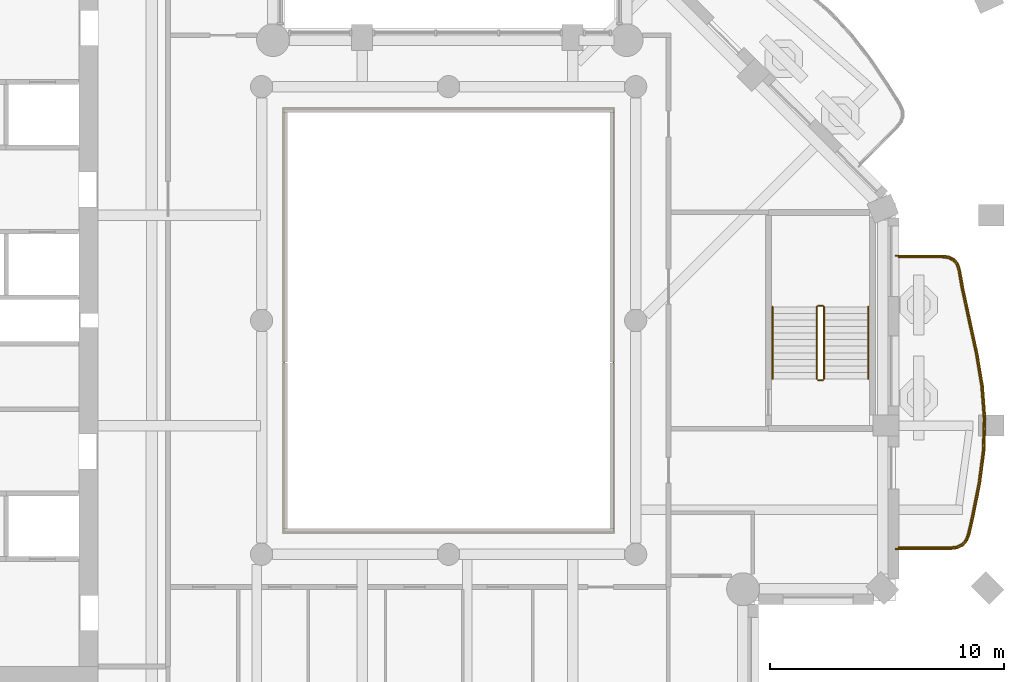
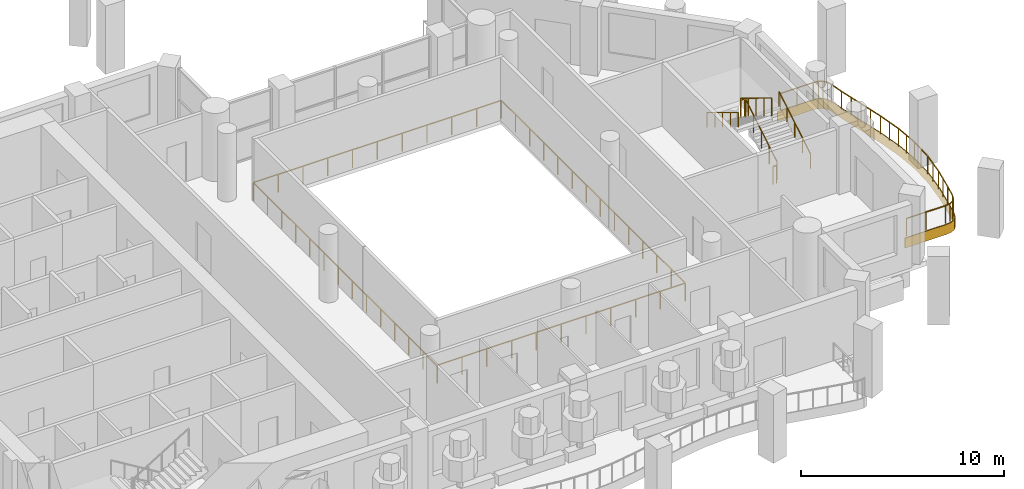
# One storey, part 12 of 15: 8 railings, 1 covering.
"""IFC4 building model written with IfcOpenShell, lengths in metres."""

from ifc_helpers import new_model, si_unit, direction, frame, origin, origin_2d, place, context, subcontext, project, spatial, polyline, rectangle, outline, extrude, material, layer, layer_set, type_object, element, save


model = new_model("IFC4")

# Units and contexts
model_context = context("Model", 3, precision=1e-05, world=origin(), true_north=direction((0.0, 1.0)))
body_context = subcontext(model_context, "Body", "Model", "MODEL_VIEW")
ifc_project = project(units=[si_unit("LENGTHUNIT", "METRE"), si_unit("AREAUNIT", "SQUARE_METRE"), si_unit("VOLUMEUNIT", "CUBIC_METRE"), si_unit("PLANEANGLEUNIT", "RADIAN"), si_unit("MASSUNIT", "GRAM", prefix="KILO")], contexts=[model_context])

# Site, building, storey
site_placement = place(None, origin())
site = spatial("IfcSite", under=ifc_project, at=site_placement, CompositionType="ELEMENT")
building_placement = place(site_placement, origin())
building = spatial("IfcBuilding", under=site, at=building_placement, Name="Cypress Arch Tower", CompositionType="ELEMENT")
storey_placement = place(building_placement, frame((0.0, 0.0, 164.60009765625)))
storey = spatial("IfcBuildingStorey", under=building, at=storey_placement, Name="L35", CompositionType="ELEMENT", Elevation=164.60009765625)

# Railing
ifc_material_1 = material(Name="Stainless steel posts and handrail, laminated glass infill", Category="steel")
railing_type_1 = type_object("IfcRailingType", Name="Atrium guard GR1100A", PredefinedType="GUARDRAIL", material=ifc_material_1)
railing_1_placement = place(storey_placement, frame((8.050048828125, -9.050048828125, 0.0)))
element("IfcRailing", 1, at=railing_1_placement, inside=storey, type_object=railing_type_1, Name="Atrium guard L35", PredefinedType="GUARDRAIL", context=body_context, shape_type="SweptSolid", body=[
    extrude(rectangle(XDim=0.050048828125, YDim=0.050048828125, at=origin_2d()), frame((0.0, 0.0, 1.0751953125), z_axis=(-1.0, 0.0, 0.0), x_axis=(0.0, -1.0, 0.0)), (0.0, 0.0, 1.0), 14.10009765625),
    extrude(rectangle(XDim=0.050048828125, YDim=0.050048828125, at=origin_2d()), frame((-14.10009765625, 0.0, 1.0751953125), z_axis=(0.0, 1.0, 0.0), x_axis=(-1.0, 0.0, 0.0)), (0.0, 0.0, 1.0), 18.10009765625),
    extrude(rectangle(XDim=0.050048828125, YDim=0.050048828125, at=origin_2d()), frame((-14.10009765625, 18.10009765625, 1.0751953125), z_axis=(1.0, 0.0, 0.0), x_axis=(0.0, 1.0, 0.0)), (0.0, 0.0, 1.0), 14.10009765625),
    extrude(rectangle(XDim=0.050048828125, YDim=0.050048828125, at=origin_2d()), frame((0.0, 18.10009765625, 1.0751953125), z_axis=(0.0, -1.0, 0.0), x_axis=(1.0, 0.0, 0.0)), (0.0, 0.0, 1.0), 18.10009765625),
    extrude(rectangle(XDim=0.050048828125, YDim=0.050048828125, at=origin_2d()), origin(), (0.0, 0.0, 1.0), 1.050048828125),
    extrude(rectangle(XDim=0.050048828125, YDim=0.050048828125, at=origin_2d()), frame((-1.409912109375, 0.0, 0.0)), (0.0, 0.0, 1.0), 1.050048828125),
    extrude(rectangle(XDim=0.050048828125, YDim=0.050048828125, at=origin_2d()), frame((-2.820068359375, 0.0, 0.0)), (0.0, 0.0, 1.0), 1.050048828125),
    extrude(rectangle(XDim=0.050048828125, YDim=0.050048828125, at=origin_2d()), frame((-4.22998046875, 0.0, 0.0)), (0.0, 0.0, 1.0), 1.050048828125),
    extrude(rectangle(XDim=0.050048828125, YDim=0.050048828125, at=origin_2d()), frame((-5.64013671875, 0.0, 0.0)), (0.0, 0.0, 1.0), 1.050048828125),
    extrude(rectangle(XDim=0.050048828125, YDim=0.050048828125, at=origin_2d()), frame((-7.050048828125, 0.0, 0.0)), (0.0, 0.0, 1.0), 1.050048828125),
    extrude(rectangle(XDim=0.050048828125, YDim=0.050048828125, at=origin_2d()), frame((-8.4599609375, 0.0, 0.0)), (0.0, 0.0, 1.0), 1.050048828125),
    extrude(rectangle(XDim=0.050048828125, YDim=0.050048828125, at=origin_2d()), frame((-9.8701171875, 0.0, 0.0)), (0.0, 0.0, 1.0), 1.050048828125),
    extrude(rectangle(XDim=0.050048828125, YDim=0.050048828125, at=origin_2d()), frame((-11.280029296875, 0.0, 0.0)), (0.0, 0.0, 1.0), 1.050048828125),
    extrude(rectangle(XDim=0.050048828125, YDim=0.050048828125, at=origin_2d()), frame((-12.690185546875, 0.0, 0.0)), (0.0, 0.0, 1.0), 1.050048828125),
    extrude(rectangle(XDim=0.050048828125, YDim=0.050048828125, at=origin_2d()), frame((-14.10009765625, 0.0, 0.0)), (0.0, 0.0, 1.0), 1.050048828125),
    extrude(rectangle(XDim=0.050048828125, YDim=0.050048828125, at=origin_2d()), frame((-14.10009765625, 1.392333984375, 0.0)), (0.0, 0.0, 1.0), 1.050048828125),
    extrude(rectangle(XDim=0.050048828125, YDim=0.050048828125, at=origin_2d()), frame((-14.10009765625, 2.78466796875, 0.0)), (0.0, 0.0, 1.0), 1.050048828125),
    extrude(rectangle(XDim=0.050048828125, YDim=0.050048828125, at=origin_2d()), frame((-14.10009765625, 4.177001953125, 0.0)), (0.0, 0.0, 1.0), 1.050048828125),
    extrude(rectangle(XDim=0.050048828125, YDim=0.050048828125, at=origin_2d()), frame((-14.10009765625, 5.5693359375, 0.0)), (0.0, 0.0, 1.0), 1.050048828125),
    extrude(rectangle(XDim=0.050048828125, YDim=0.050048828125, at=origin_2d()), frame((-14.10009765625, 6.961669921875, 0.0)), (0.0, 0.0, 1.0), 1.050048828125),
    extrude(rectangle(XDim=0.050048828125, YDim=0.050048828125, at=origin_2d()), frame((-14.10009765625, 8.35400390625, 0.0)), (0.0, 0.0, 1.0), 1.050048828125),
    extrude(rectangle(XDim=0.050048828125, YDim=0.050048828125, at=origin_2d()), frame((-14.10009765625, 9.74609375, 0.0)), (0.0, 0.0, 1.0), 1.050048828125),
    extrude(rectangle(XDim=0.050048828125, YDim=0.050048828125, at=origin_2d()), frame((-14.10009765625, 11.138427734375, 0.0)), (0.0, 0.0, 1.0), 1.050048828125),
    extrude(rectangle(XDim=0.050048828125, YDim=0.050048828125, at=origin_2d()), frame((-14.10009765625, 12.53076171875, 0.0)), (0.0, 0.0, 1.0), 1.050048828125),
    extrude(rectangle(XDim=0.050048828125, YDim=0.050048828125, at=origin_2d()), frame((-14.10009765625, 13.923095703125, 0.0)), (0.0, 0.0, 1.0), 1.050048828125),
    extrude(rectangle(XDim=0.050048828125, YDim=0.050048828125, at=origin_2d()), frame((-14.10009765625, 15.3154296875, 0.0)), (0.0, 0.0, 1.0), 1.050048828125),
    extrude(rectangle(XDim=0.050048828125, YDim=0.050048828125, at=origin_2d()), frame((-14.10009765625, 16.707763671875, 0.0)), (0.0, 0.0, 1.0), 1.050048828125),
    extrude(rectangle(XDim=0.050048828125, YDim=0.050048828125, at=origin_2d()), frame((-14.10009765625, 18.10009765625, 0.0)), (0.0, 0.0, 1.0), 1.050048828125),
    extrude(rectangle(XDim=0.050048828125, YDim=0.050048828125, at=origin_2d()), frame((-12.690185546875, 18.10009765625, 0.0)), (0.0, 0.0, 1.0), 1.050048828125),
    extrude(rectangle(XDim=0.050048828125, YDim=0.050048828125, at=origin_2d()), frame((-11.280029296875, 18.10009765625, 0.0)), (0.0, 0.0, 1.0), 1.050048828125),
    extrude(rectangle(XDim=0.050048828125, YDim=0.050048828125, at=origin_2d()), frame((-9.8701171875, 18.10009765625, 0.0)), (0.0, 0.0, 1.0), 1.050048828125),
    extrude(rectangle(XDim=0.050048828125, YDim=0.050048828125, at=origin_2d()), frame((-8.4599609375, 18.10009765625, 0.0)), (0.0, 0.0, 1.0), 1.050048828125),
    extrude(rectangle(XDim=0.050048828125, YDim=0.050048828125, at=origin_2d()), frame((-7.050048828125, 18.10009765625, 0.0)), (0.0, 0.0, 1.0), 1.050048828125),
    extrude(rectangle(XDim=0.050048828125, YDim=0.050048828125, at=origin_2d()), frame((-5.64013671875, 18.10009765625, 0.0)), (0.0, 0.0, 1.0), 1.050048828125),
    extrude(rectangle(XDim=0.050048828125, YDim=0.050048828125, at=origin_2d()), frame((-4.22998046875, 18.10009765625, 0.0)), (0.0, 0.0, 1.0), 1.050048828125),
    extrude(rectangle(XDim=0.050048828125, YDim=0.050048828125, at=origin_2d()), frame((-2.820068359375, 18.10009765625, 0.0)), (0.0, 0.0, 1.0), 1.050048828125),
    extrude(rectangle(XDim=0.050048828125, YDim=0.050048828125, at=origin_2d()), frame((-1.409912109375, 18.10009765625, 0.0)), (0.0, 0.0, 1.0), 1.050048828125),
    extrude(rectangle(XDim=0.050048828125, YDim=0.050048828125, at=origin_2d()), frame((0.0, 18.10009765625, 0.0)), (0.0, 0.0, 1.0), 1.050048828125),
    extrude(rectangle(XDim=0.050048828125, YDim=0.050048828125, at=origin_2d()), frame((0.0, 16.707763671875, 0.0)), (0.0, 0.0, 1.0), 1.050048828125),
    extrude(rectangle(XDim=0.050048828125, YDim=0.050048828125, at=origin_2d()), frame((0.0, 15.3154296875, 0.0)), (0.0, 0.0, 1.0), 1.050048828125),
    extrude(rectangle(XDim=0.050048828125, YDim=0.050048828125, at=origin_2d()), frame((0.0, 13.923095703125, 0.0)), (0.0, 0.0, 1.0), 1.050048828125),
    extrude(rectangle(XDim=0.050048828125, YDim=0.050048828125, at=origin_2d()), frame((0.0, 12.53076171875, 0.0)), (0.0, 0.0, 1.0), 1.050048828125),
    extrude(rectangle(XDim=0.050048828125, YDim=0.050048828125, at=origin_2d()), frame((0.0, 11.138427734375, 0.0)), (0.0, 0.0, 1.0), 1.050048828125),
    extrude(rectangle(XDim=0.050048828125, YDim=0.050048828125, at=origin_2d()), frame((0.0, 9.74609375, 0.0)), (0.0, 0.0, 1.0), 1.050048828125),
    extrude(rectangle(XDim=0.050048828125, YDim=0.050048828125, at=origin_2d()), frame((0.0, 8.35400390625, 0.0)), (0.0, 0.0, 1.0), 1.050048828125),
    extrude(rectangle(XDim=0.050048828125, YDim=0.050048828125, at=origin_2d()), frame((0.0, 6.961669921875, 0.0)), (0.0, 0.0, 1.0), 1.050048828125),
    extrude(rectangle(XDim=0.050048828125, YDim=0.050048828125, at=origin_2d()), frame((0.0, 5.5693359375, 0.0)), (0.0, 0.0, 1.0), 1.050048828125),
    extrude(rectangle(XDim=0.050048828125, YDim=0.050048828125, at=origin_2d()), frame((0.0, 4.177001953125, 0.0)), (0.0, 0.0, 1.0), 1.050048828125),
    extrude(rectangle(XDim=0.050048828125, YDim=0.050048828125, at=origin_2d()), frame((0.0, 2.78466796875, 0.0)), (0.0, 0.0, 1.0), 1.050048828125),
    extrude(rectangle(XDim=0.050048828125, YDim=0.050048828125, at=origin_2d()), frame((0.0, 1.392333984375, 0.0)), (0.0, 0.0, 1.0), 1.050048828125),
])

# Covering
ifc_material_2 = material(Name="White powder-coated aluminium fascia", Category="aluminium")
ifc_layer = layer(ifc_material_2, 0.050048828125)
ifc_layer_set = layer_set([ifc_layer], Name="Balcony fascia BF50")
covering_type = type_object("IfcCoveringType", Name="Balcony fascia BF50", PredefinedType="CLADDING", material=ifc_layer_set)
covering_placement = place(storey_placement, frame((0.0, 0.0, -0.60009765625)))
element("IfcCovering", 2, at=covering_placement, inside=storey, type_object=covering_type, Name="Balcony fascia L35-B04", PredefinedType="CLADDING", context=body_context, shape_type="SweptSolid", body=[
    extrude(outline(polyline([(22.1220703125, 2.800048828125), (22.418212890625, 2.75927734375), (22.653564453125, 2.6328125), (22.8173828125, 2.422119140625), (22.906982421875, 2.13671875), (23.03662109375, 1.37060546875), (23.340087890625, -0.01708984375), (23.642578125, -1.4072265625), (23.874267578125, -2.799560546875), (23.9814453125, -4.193359375), (23.93896484375, -5.58740234375), (23.757080078125, -6.98046875), (23.4775390625, -8.37158203125), (23.30517578125, -9.13916015625), (23.199462890625, -9.424072265625), (23.023681640625, -9.633544921875), (22.780517578125, -9.75927734375), (22.4794921875, -9.800048828125), (20.10107421875, -9.800048828125), (20.10107421875, -9.75), (22.47607421875, -9.75), (22.76513671875, -9.7109375), (22.99169921875, -9.59375), (23.15576171875, -9.3984375), (23.257080078125, -9.125), (23.4287109375, -8.361083984375), (23.70751953125, -6.97216796875), (23.88916015625, -5.583251953125), (23.931396484375, -4.1943359375), (23.824462890625, -2.8056640625), (23.593505859375, -1.416748046875), (23.291259765625, -0.02783203125), (22.987548828125, 1.361083984375), (22.8583984375, 2.125), (22.7724609375, 2.3984375), (22.62060546875, 2.59375), (22.402587890625, 2.7109375), (22.11865234375, 2.75), (20.10107421875, 2.75), (20.10107421875, 2.800048828125), (22.1220703125, 2.800048828125)])), origin(), (0.0, 0.0, 1.0), 0.60009765625),
])

# Railings
ifc_material_3 = material(Name="Powder-coated steel posts and rods, 100 mm clear between rods", Category="steel")
railing_type_2 = type_object("IfcRailingType", Name="Balcony guard GR1100", PredefinedType="GUARDRAIL", material=ifc_material_3)
railing_2_placement = place(storey_placement, frame((20.25, 2.699951171875, 0.0)))
element("IfcRailing", 3, at=railing_2_placement, inside=storey, type_object=railing_type_2, Name="Balcony guard L35-B04", PredefinedType="GUARDRAIL", context=body_context, shape_type="SweptSolid", body=[
    extrude(rectangle(XDim=0.050048828125, YDim=0.050048828125, at=origin_2d()), frame((0.0, 0.0, 1.0751953125), z_axis=(1.0, 0.0, 0.0), x_axis=(0.0, 1.0, 0.0)), (0.0, 0.0, 1.0), 1.865234375),
    extrude(rectangle(XDim=0.050048828125, YDim=0.050048828125, at=origin_2d()), frame((1.865234375, 0.0, 1.0751953125), z_axis=(0.990666813583, -0.13630577561, 0.0), x_axis=(0.13630577561, 0.990666813583, 0.0)), (0.0, 0.0, 1.0), 0.27392578125),
    extrude(rectangle(XDim=0.050048828125, YDim=0.050048828125, at=origin_2d()), frame((2.13671875, -0.037353515625, 1.0751953125), z_axis=(0.880986166387, -0.473142023746, 0.0), x_axis=(0.473142023746, 0.880986166387, 0.0)), (0.0, 0.0, 1.0), 0.22802734375),
    extrude(rectangle(XDim=0.050048828125, YDim=0.050048828125, at=origin_2d()), frame((2.337646484375, -0.145263671875, 1.0751953125), z_axis=(0.613792283962, -0.789467562443, 0.0), x_axis=(0.789467562443, 0.613792283962, 0.0)), (0.0, 0.0, 1.0), 0.22802734375),
    extrude(rectangle(XDim=0.050048828125, YDim=0.050048828125, at=origin_2d()), frame((2.4775390625, -0.3251953125, 1.0751953125), z_axis=(0.299340074537, -0.954146487588, 0.0), x_axis=(0.954146487588, 0.299340074537, 0.0)), (0.0, 0.0, 1.0), 0.27392578125),
    extrude(rectangle(XDim=0.050048828125, YDim=0.050048828125, at=origin_2d()), frame((2.5595703125, -0.586669921875, 1.0751953125), z_axis=(0.166858303693, -0.985980885458, 0.0), x_axis=(0.985980885458, 0.166858303693, 0.0)), (0.0, 0.0, 1.0), 0.7724609375),
    extrude(rectangle(XDim=0.050048828125, YDim=0.050048828125, at=origin_2d()), frame((2.6884765625, -1.348388671875, 1.0751953125), z_axis=(0.213640585068, -0.976912329952, 0.0), x_axis=(0.976912329952, 0.213640585068, 0.0)), (0.0, 0.0, 1.0), 1.4228515625),
    extrude(rectangle(XDim=0.050048828125, YDim=0.050048828125, at=origin_2d()), frame((2.992431640625, -2.73828125, 1.0751953125), z_axis=(0.21265088582, -0.977128241716, 0.0), x_axis=(0.977128241716, 0.21265088582, 0.0)), (0.0, 0.0, 1.0), 1.420166015625),
    extrude(rectangle(XDim=0.050048828125, YDim=0.050048828125, at=origin_2d()), frame((3.29443359375, -4.1259765625, 1.0751953125), z_axis=(0.164088916526, -0.986445552209, 0.0), x_axis=(0.986445552209, 0.164088916526, 0.0)), (0.0, 0.0, 1.0), 1.404541015625),
    extrude(rectangle(XDim=0.050048828125, YDim=0.050048828125, at=origin_2d()), frame((3.52490234375, -5.511474609375, 1.0751953125), z_axis=(0.076683049341, -0.997055519991, 0.0), x_axis=(0.997055519991, 0.076683049341, 0.0)), (0.0, 0.0, 1.0), 1.38818359375),
    extrude(rectangle(XDim=0.050048828125, YDim=0.050048828125, at=origin_2d()), frame((3.63134765625, -6.8955078125, 1.0751953125), z_axis=(-0.030508022635, -0.999534521943, 0.0), x_axis=(0.999534521943, -0.030508022635, 0.0)), (0.0, 0.0, 1.0), 1.384521484375),
    extrude(rectangle(XDim=0.050048828125, YDim=0.050048828125, at=origin_2d()), frame((3.589111328125, -8.279296875, 1.0751953125), z_axis=(-0.12954097075, -0.991574070303, 0.0), x_axis=(0.991574070303, -0.12954097075, 0.0)), (0.0, 0.0, 1.0), 1.396484375),
    extrude(rectangle(XDim=0.050048828125, YDim=0.050048828125, at=origin_2d()), frame((3.408203125, -9.6640625, 1.0751953125), z_axis=(-0.196779990291, -0.980447670924, 0.0), x_axis=(0.980447670924, -0.196779990291, 0.0)), (0.0, 0.0, 1.0), 1.414306640625),
    extrude(rectangle(XDim=0.050048828125, YDim=0.050048828125, at=origin_2d()), frame((3.1298828125, -11.05078125, 1.0751953125), z_axis=(-0.219385413222, -0.975638273371, 0.0), x_axis=(0.975638273371, -0.219385413222, 0.0)), (0.0, 0.0, 1.0), 0.779052734375),
    extrude(rectangle(XDim=0.050048828125, YDim=0.050048828125, at=origin_2d()), frame((2.958984375, -11.810791015625, 1.0751953125), z_axis=(-0.347769657005, -0.937580004942, 0.0), x_axis=(0.937580004942, -0.347769657005, 0.0)), (0.0, 0.0, 1.0), 0.279296875),
    extrude(rectangle(XDim=0.050048828125, YDim=0.050048828125, at=origin_2d()), frame((2.86181640625, -12.07275390625, 1.0751953125), z_axis=(-0.642416654293, -0.766355558658, 0.0), x_axis=(0.766355558658, -0.642416654293, 0.0)), (0.0, 0.0, 1.0), 0.236328125),
    extrude(rectangle(XDim=0.050048828125, YDim=0.050048828125, at=origin_2d()), frame((2.7099609375, -12.25390625, 1.0751953125), z_axis=(-0.888144973039, -0.459563387212, 0.0), x_axis=(0.459563387212, -0.888144973039, 0.0)), (0.0, 0.0, 1.0), 0.236328125),
    extrude(rectangle(XDim=0.050048828125, YDim=0.050048828125, at=origin_2d()), frame((2.5, -12.362548828125, 1.0751953125), z_axis=(-0.991036223189, -0.133593429205, 0.0), x_axis=(0.133593429205, -0.991036223189, 0.0)), (0.0, 0.0, 1.0), 0.279541015625),
    extrude(rectangle(XDim=0.050048828125, YDim=0.050048828125, at=origin_2d()), frame((2.222900390625, -12.39990234375, 1.0751953125), z_axis=(-1.0, 0.0, 0.0), x_axis=(0.0, -1.0, 0.0)), (0.0, 0.0, 1.0), 2.222900390625),
    extrude(rectangle(XDim=0.0400390625, YDim=0.0400390625, at=origin_2d()), origin(), (0.0, 0.0, 1.0), 1.050048828125),
    extrude(rectangle(XDim=0.0400390625, YDim=0.0400390625, at=origin_2d()), frame((0.9326171875, 0.0, 0.0)), (0.0, 0.0, 1.0), 1.050048828125),
    extrude(rectangle(XDim=0.0400390625, YDim=0.0400390625, at=origin_2d()), frame((1.865234375, 0.0, 0.0)), (0.0, 0.0, 1.0), 1.050048828125),
    extrude(rectangle(XDim=0.0400390625, YDim=0.0400390625, at=origin_2d()), frame((2.13671875, -0.037353515625, 0.0)), (0.0, 0.0, 1.0), 1.050048828125),
    extrude(rectangle(XDim=0.0400390625, YDim=0.0400390625, at=origin_2d()), frame((2.337646484375, -0.145263671875, 0.0)), (0.0, 0.0, 1.0), 1.050048828125),
    extrude(rectangle(XDim=0.0400390625, YDim=0.0400390625, at=origin_2d()), frame((2.4775390625, -0.3251953125, 0.0)), (0.0, 0.0, 1.0), 1.050048828125),
    extrude(rectangle(XDim=0.0400390625, YDim=0.0400390625, at=origin_2d()), frame((2.5595703125, -0.586669921875, 0.0)), (0.0, 0.0, 1.0), 1.050048828125),
    extrude(rectangle(XDim=0.0400390625, YDim=0.0400390625, at=origin_2d()), frame((2.6884765625, -1.348388671875, 0.0)), (0.0, 0.0, 1.0), 1.050048828125),
    extrude(rectangle(XDim=0.0400390625, YDim=0.0400390625, at=origin_2d()), frame((2.84033203125, -2.04345703125, 0.0)), (0.0, 0.0, 1.0), 1.050048828125),
    extrude(rectangle(XDim=0.0400390625, YDim=0.0400390625, at=origin_2d()), frame((2.992431640625, -2.73828125, 0.0)), (0.0, 0.0, 1.0), 1.050048828125),
    extrude(rectangle(XDim=0.0400390625, YDim=0.0400390625, at=origin_2d()), frame((3.1435546875, -3.43212890625, 0.0)), (0.0, 0.0, 1.0), 1.050048828125),
    extrude(rectangle(XDim=0.0400390625, YDim=0.0400390625, at=origin_2d()), frame((3.29443359375, -4.1259765625, 0.0)), (0.0, 0.0, 1.0), 1.050048828125),
    extrude(rectangle(XDim=0.0400390625, YDim=0.0400390625, at=origin_2d()), frame((3.40966796875, -4.81884765625, 0.0)), (0.0, 0.0, 1.0), 1.050048828125),
    extrude(rectangle(XDim=0.0400390625, YDim=0.0400390625, at=origin_2d()), frame((3.52490234375, -5.511474609375, 0.0)), (0.0, 0.0, 1.0), 1.050048828125),
    extrude(rectangle(XDim=0.0400390625, YDim=0.0400390625, at=origin_2d()), frame((3.578125, -6.20361328125, 0.0)), (0.0, 0.0, 1.0), 1.050048828125),
    extrude(rectangle(XDim=0.0400390625, YDim=0.0400390625, at=origin_2d()), frame((3.63134765625, -6.8955078125, 0.0)), (0.0, 0.0, 1.0), 1.050048828125),
    extrude(rectangle(XDim=0.0400390625, YDim=0.0400390625, at=origin_2d()), frame((3.6103515625, -7.58740234375, 0.0)), (0.0, 0.0, 1.0), 1.050048828125),
    extrude(rectangle(XDim=0.0400390625, YDim=0.0400390625, at=origin_2d()), frame((3.589111328125, -8.279296875, 0.0)), (0.0, 0.0, 1.0), 1.050048828125),
    extrude(rectangle(XDim=0.0400390625, YDim=0.0400390625, at=origin_2d()), frame((3.49853515625, -8.9716796875, 0.0)), (0.0, 0.0, 1.0), 1.050048828125),
    extrude(rectangle(XDim=0.0400390625, YDim=0.0400390625, at=origin_2d()), frame((3.408203125, -9.6640625, 0.0)), (0.0, 0.0, 1.0), 1.050048828125),
    extrude(rectangle(XDim=0.0400390625, YDim=0.0400390625, at=origin_2d()), frame((3.26904296875, -10.357421875, 0.0)), (0.0, 0.0, 1.0), 1.050048828125),
    extrude(rectangle(XDim=0.0400390625, YDim=0.0400390625, at=origin_2d()), frame((3.1298828125, -11.05078125, 0.0)), (0.0, 0.0, 1.0), 1.050048828125),
    extrude(rectangle(XDim=0.0400390625, YDim=0.0400390625, at=origin_2d()), frame((2.958984375, -11.810791015625, 0.0)), (0.0, 0.0, 1.0), 1.050048828125),
    extrude(rectangle(XDim=0.0400390625, YDim=0.0400390625, at=origin_2d()), frame((2.86181640625, -12.07275390625, 0.0)), (0.0, 0.0, 1.0), 1.050048828125),
    extrude(rectangle(XDim=0.0400390625, YDim=0.0400390625, at=origin_2d()), frame((2.7099609375, -12.25390625, 0.0)), (0.0, 0.0, 1.0), 1.050048828125),
    extrude(rectangle(XDim=0.0400390625, YDim=0.0400390625, at=origin_2d()), frame((2.5, -12.362548828125, 0.0)), (0.0, 0.0, 1.0), 1.050048828125),
    extrude(rectangle(XDim=0.0400390625, YDim=0.0400390625, at=origin_2d()), frame((2.222900390625, -12.39990234375, 0.0)), (0.0, 0.0, 1.0), 1.050048828125),
    extrude(rectangle(XDim=0.0400390625, YDim=0.0400390625, at=origin_2d()), frame((1.111328125, -12.39990234375, 0.0)), (0.0, 0.0, 1.0), 1.050048828125),
    extrude(rectangle(XDim=0.0400390625, YDim=0.0400390625, at=origin_2d()), frame((0.0, -12.39990234375, 0.0)), (0.0, 0.0, 1.0), 1.050048828125),
])
ifc_material_4 = material(Name="Black powder-coated steel square bar 48 mm", Category="steel")
railing_type_3 = type_object("IfcRailingType", Name="Stair handrail HR1", PredefinedType="HANDRAIL", material=ifc_material_4)
railing_3_placement = place(storey_placement, frame((18.949951171875, -2.5, 0.170654296875)))
element("IfcRailing", 4, at=railing_3_placement, inside=storey, type_object=railing_type_3, Name="L35 C stair handrail 1", PredefinedType="HANDRAIL", context=body_context, shape_type="SweptSolid", body=[
    extrude(rectangle(XDim=0.048095703125, YDim=0.048095703125, at=origin_2d()), frame((0.0, 0.0, 0.8759765625), z_axis=(0.0, 0.853666305674, 0.52082035152), x_axis=(-1.0, 0.0, 0.0)), (0.0, 0.0, 1.0), 3.608154296875),
    extrude(rectangle(XDim=0.0419921875, YDim=0.0419921875, at=origin_2d()), origin(), (0.0, 0.0, 1.0), 0.851806640625),
    extrude(rectangle(XDim=0.0419921875, YDim=0.0419921875, at=origin_2d()), frame((0.0, 0.77001953125, 0.4697265625)), (0.0, 0.0, 1.0), 0.851806640625),
    extrude(rectangle(XDim=0.0419921875, YDim=0.0419921875, at=origin_2d()), frame((0.0, 1.5400390625, 0.939453125)), (0.0, 0.0, 1.0), 0.851806640625),
    extrude(rectangle(XDim=0.0419921875, YDim=0.0419921875, at=origin_2d()), frame((0.0, 2.31005859375, 1.409423828125)), (0.0, 0.0, 1.0), 0.851806640625),
    extrude(rectangle(XDim=0.0419921875, YDim=0.0419921875, at=origin_2d()), frame((0.0, 3.080078125, 1.879150390625)), (0.0, 0.0, 1.0), 0.851806640625),
])
railing_4_placement = place(storey_placement, frame((14.85009765625, 0.580078125, 2.220703125)))
element("IfcRailing", 5, at=railing_4_placement, inside=storey, type_object=railing_type_3, Name="L35 C stair handrail 2", PredefinedType="HANDRAIL", context=body_context, shape_type="SweptSolid", body=[
    extrude(rectangle(XDim=0.048095703125, YDim=0.048095703125, at=origin_2d()), frame((0.0, 0.0, 0.8759765625), z_axis=(0.0, -0.853666305674, 0.52082035152), x_axis=(1.0, 0.0, 0.0)), (0.0, 0.0, 1.0), 3.608154296875),
    extrude(rectangle(XDim=0.0419921875, YDim=0.0419921875, at=origin_2d()), origin(), (0.0, 0.0, 1.0), 0.851806640625),
    extrude(rectangle(XDim=0.0419921875, YDim=0.0419921875, at=origin_2d()), frame((0.0, -0.77001953125, 0.4697265625)), (0.0, 0.0, 1.0), 0.851806640625),
    extrude(rectangle(XDim=0.0419921875, YDim=0.0419921875, at=origin_2d()), frame((0.0, -1.5400390625, 0.939453125)), (0.0, 0.0, 1.0), 0.851806640625),
    extrude(rectangle(XDim=0.0419921875, YDim=0.0419921875, at=origin_2d()), frame((0.0, -2.31005859375, 1.409423828125)), (0.0, 0.0, 1.0), 0.851806640625),
    extrude(rectangle(XDim=0.0419921875, YDim=0.0419921875, at=origin_2d()), frame((0.0, -3.080078125, 1.879150390625)), (0.0, 0.0, 1.0), 0.851806640625),
])
ifc_material_5 = material(Name="Black powder-coated steel balusters", Category="steel")
railing_type_4 = type_object("IfcRailingType", Name="Stair well guard G1", PredefinedType="GUARDRAIL", material=ifc_material_5)
railing_5_placement = place(storey_placement, frame((17.050048828125, -2.5, 0.170654296875)))
element("IfcRailing", 6, at=railing_5_placement, inside=storey, type_object=railing_type_4, Name="L35 C stair guard 1", PredefinedType="GUARDRAIL", context=body_context, shape_type="SweptSolid", body=[
    extrude(rectangle(XDim=0.048095703125, YDim=0.048095703125, at=origin_2d()), frame((0.0, 0.0, 1.076171875), z_axis=(0.0, 0.853666305674, 0.52082035152), x_axis=(-1.0, 0.0, 0.0)), (0.0, 0.0, 1.0), 3.608154296875),
    extrude(rectangle(XDim=0.0419921875, YDim=0.0419921875, at=origin_2d()), origin(), (0.0, 0.0, 1.0), 1.052001953125),
    extrude(rectangle(XDim=0.0419921875, YDim=0.0419921875, at=origin_2d()), frame((0.0, 0.77001953125, 0.4697265625)), (0.0, 0.0, 1.0), 1.052001953125),
    extrude(rectangle(XDim=0.0419921875, YDim=0.0419921875, at=origin_2d()), frame((0.0, 1.5400390625, 0.939453125)), (0.0, 0.0, 1.0), 1.052001953125),
    extrude(rectangle(XDim=0.0419921875, YDim=0.0419921875, at=origin_2d()), frame((0.0, 2.31005859375, 1.409423828125)), (0.0, 0.0, 1.0), 1.052001953125),
    extrude(rectangle(XDim=0.0419921875, YDim=0.0419921875, at=origin_2d()), frame((0.0, 3.080078125, 1.879150390625)), (0.0, 0.0, 1.0), 1.052001953125),
])
railing_6_placement = place(storey_placement, frame((17.0, 0.6298828125, 2.0498046875)))
element("IfcRailing", 7, at=railing_6_placement, inside=storey, type_object=railing_type_4, Name="L35 C stair guard 2", PredefinedType="GUARDRAIL", context=body_context, shape_type="SweptSolid", body=[
    extrude(rectangle(XDim=0.048095703125, YDim=0.048095703125, at=origin_2d()), frame((0.0, 0.0, 1.076171875), z_axis=(-1.0, 0.0, 0.0), x_axis=(0.0, -1.0, 0.0)), (0.0, 0.0, 1.0), 0.199951171875),
    extrude(rectangle(XDim=0.0419921875, YDim=0.0419921875, at=origin_2d()), origin(), (0.0, 0.0, 1.0), 1.052001953125),
    extrude(rectangle(XDim=0.0419921875, YDim=0.0419921875, at=origin_2d()), frame((-0.199951171875, 0.0, 0.0)), (0.0, 0.0, 1.0), 1.052001953125),
])
railing_7_placement = place(storey_placement, frame((16.75, 0.580078125, 2.220703125)))
element("IfcRailing", 8, at=railing_7_placement, inside=storey, type_object=railing_type_4, Name="L35 C stair guard 3", PredefinedType="GUARDRAIL", context=body_context, shape_type="SweptSolid", body=[
    extrude(rectangle(XDim=0.048095703125, YDim=0.048095703125, at=origin_2d()), frame((0.0, 0.0, 1.076171875), z_axis=(0.0, -0.853666305674, 0.52082035152), x_axis=(1.0, 0.0, 0.0)), (0.0, 0.0, 1.0), 3.608154296875),
    extrude(rectangle(XDim=0.0419921875, YDim=0.0419921875, at=origin_2d()), origin(), (0.0, 0.0, 1.0), 1.052001953125),
    extrude(rectangle(XDim=0.0419921875, YDim=0.0419921875, at=origin_2d()), frame((0.0, -0.77001953125, 0.4697265625)), (0.0, 0.0, 1.0), 1.052001953125),
    extrude(rectangle(XDim=0.0419921875, YDim=0.0419921875, at=origin_2d()), frame((0.0, -1.5400390625, 0.939453125)), (0.0, 0.0, 1.0), 1.052001953125),
    extrude(rectangle(XDim=0.0419921875, YDim=0.0419921875, at=origin_2d()), frame((0.0, -2.31005859375, 1.409423828125)), (0.0, 0.0, 1.0), 1.052001953125),
    extrude(rectangle(XDim=0.0419921875, YDim=0.0419921875, at=origin_2d()), frame((0.0, -3.080078125, 1.879150390625)), (0.0, 0.0, 1.0), 1.052001953125),
])
railing_8_placement = place(storey_placement, frame((17.0, -2.550048828125, 0.0)))
element("IfcRailing", 9, at=railing_8_placement, inside=storey, type_object=railing_type_4, Name="L35 C stair guard 4", PredefinedType="GUARDRAIL", context=body_context, shape_type="SweptSolid", body=[
    extrude(rectangle(XDim=0.048095703125, YDim=0.048095703125, at=origin_2d()), frame((0.0, 0.0, 1.076171875), z_axis=(-1.0, 0.0, 0.0), x_axis=(0.0, -1.0, 0.0)), (0.0, 0.0, 1.0), 0.199951171875),
    extrude(rectangle(XDim=0.0419921875, YDim=0.0419921875, at=origin_2d()), origin(), (0.0, 0.0, 1.0), 1.052001953125),
    extrude(rectangle(XDim=0.0419921875, YDim=0.0419921875, at=origin_2d()), frame((-0.199951171875, 0.0, 0.0)), (0.0, 0.0, 1.0), 1.052001953125),
])

save(model, "model.ifc")
